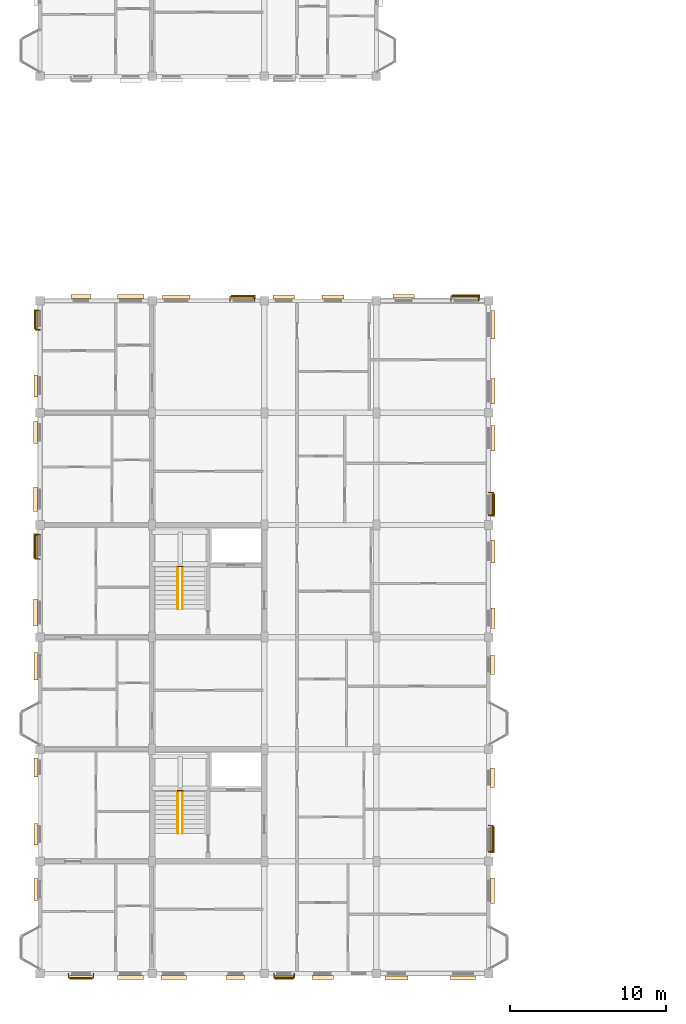
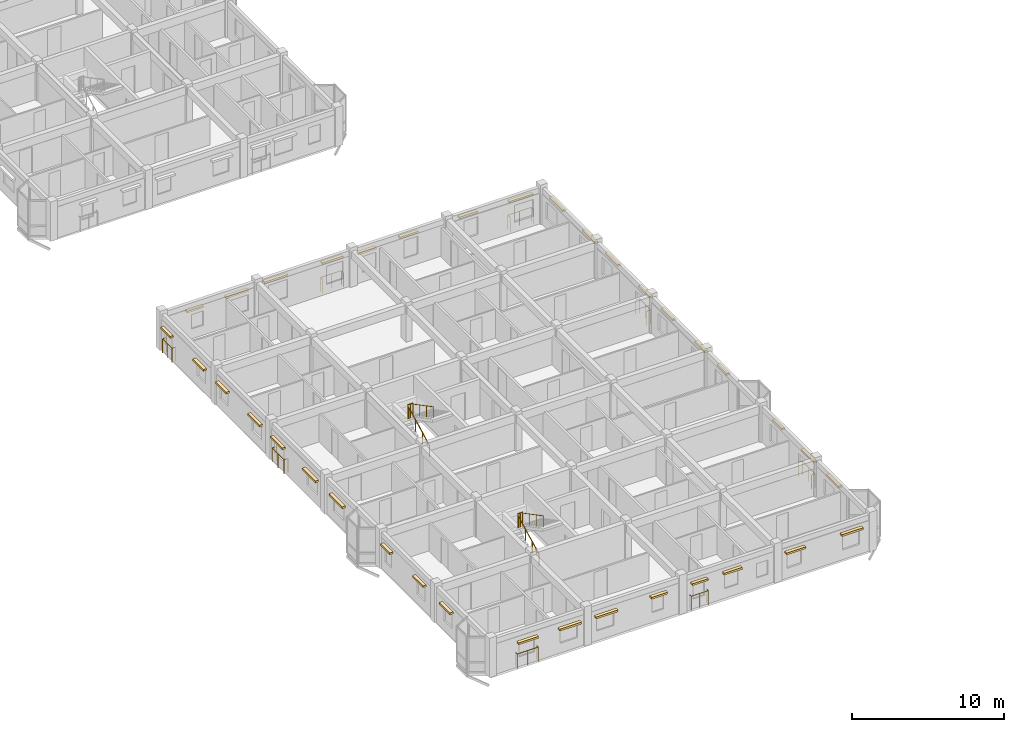
# One storey, part 74 of 79: 36 coverings, 14 railings.
"""IFC4 building model written with IfcOpenShell, lengths in metres."""

from ifc_helpers import new_model, si_unit, direction, frame, origin, origin_2d, place, context, subcontext, project, spatial, rectangle, circle, extrude, material, layer, layer_set, type_object, element, save


model = new_model("IFC4")

# Units and contexts
model_context = context("Model", 3, precision=1e-05, world=origin(), true_north=direction((0.0, 1.0)))
body_context = subcontext(model_context, "Body", "Model", "MODEL_VIEW")
ifc_project = project(units=[si_unit("LENGTHUNIT", "METRE"), si_unit("AREAUNIT", "SQUARE_METRE"), si_unit("VOLUMEUNIT", "CUBIC_METRE"), si_unit("PLANEANGLEUNIT", "RADIAN"), si_unit("MASSUNIT", "GRAM", prefix="KILO"), si_unit("THERMODYNAMICTEMPERATUREUNIT", "KELVIN"), si_unit("POWERUNIT", "WATT")], contexts=[model_context])

# Site, building, storey
site_placement = place(None, origin())
site = spatial("IfcSite", under=ifc_project, at=site_placement, CompositionType="ELEMENT")
building_placement = place(site_placement, origin())
building = spatial("IfcBuilding", under=site, at=building_placement, Name="Tavuni Mirador Residences", CompositionType="ELEMENT")
storey_placement = place(building_placement, frame((0.0, 0.0, 13.949951171875)))
storey = spatial("IfcBuildingStorey", under=building, at=storey_placement, Name="L04", CompositionType="ELEMENT", Elevation=13.949951171875)

# Coverings
ifc_material_1 = material(Name="Natural coral limestone", Category="masonry")
ifc_layer = layer(ifc_material_1, 0.054931640625, Name="Natural coral limestone", Category="masonry")
ifc_layer_set = layer_set([ifc_layer], Name="Natural coral limestone")
covering_type = type_object("IfcCoveringType", Name="CVT-CLAD-CORAL", PredefinedType="CLADDING", material=ifc_layer_set)
covering_1_placement = place(storey_placement, frame((6.237548828125, 6.9404296875, 1.955078125), z_axis=(0.0, 0.0, 1.0), x_axis=(1.0, 0.0, 0.0)))
element("IfcCovering", 1, at=covering_1_placement, inside=storey, type_object=covering_type, Name="HOOD-0095", PredefinedType="CLADDING", context=body_context, shape_type="SweptSolid", body=[
    extrude(rectangle(XDim=1.5, YDim=0.25, at=origin_2d()), origin(), (0.0, 0.0, 1.0), 0.14990234375),
])
for number, where, z_axis, x_axis, name in (
    (2, (9.422607421875, 6.9404296875, 1.955078125), (0.0, 0.0, 1.0), (1.0, 0.0, 0.0), "HOOD-0096"),
    (3, (12.18505859375, 6.950439453125, 1.955078125), (0.0, 0.0, 1.0), (1.0, 0.0, 0.0), "HOOD-0097"),
):
    element("IfcCovering", number, at=place(storey_placement, frame(where, z_axis=z_axis, x_axis=x_axis)), inside=storey, type_object=covering_type, Name=name, PredefinedType="CLADDING", context=body_context, shape_type="SweptSolid", body=[
        extrude(rectangle(XDim=1.659912109375, YDim=0.25, at=origin_2d()), origin(), (0.0, 0.0, 1.0), 0.14990234375),
    ])
for number, where, z_axis, x_axis, name in (
    (4, (16.1650390625, 6.950439453125, 2.065185546875), (0.0, 0.0, 1.0), (1.0, 0.0, 0.0), "HOOD-0098"),
    (5, (19.257568359375, 6.95556640625, 2.065185546875), (0.0, 0.0, 1.0), (1.0, 0.0, 0.0), "HOOD-0099"),
):
    element("IfcCovering", number, at=place(storey_placement, frame(where, z_axis=z_axis, x_axis=x_axis)), inside=storey, type_object=covering_type, Name=name, PredefinedType="CLADDING", context=body_context, shape_type="SweptSolid", body=[
        extrude(rectangle(XDim=1.219970703125, YDim=0.25, at=origin_2d()), origin(), (0.0, 0.0, 1.0), 0.14990234375),
    ])
covering_2_placement = place(storey_placement, frame((21.739990234375, 6.95556640625, 2.065185546875), z_axis=(0.0, 0.0, 1.0), x_axis=(1.0, 0.0, 0.0)))
element("IfcCovering", 6, at=covering_2_placement, inside=storey, type_object=covering_type, Name="HOOD-0100", PredefinedType="CLADDING", context=body_context, shape_type="SweptSolid", body=[
    extrude(rectangle(XDim=1.3798828125, YDim=0.25, at=origin_2d()), origin(), (0.0, 0.0, 1.0), 0.14990234375),
])
covering_3_placement = place(storey_placement, frame((26.485107421875, 6.9130859375, 2.065185546875), z_axis=(0.0, 0.0, 1.0), x_axis=(1.0, 0.0, 0.0)))
element("IfcCovering", 7, at=covering_3_placement, inside=storey, type_object=covering_type, Name="HOOD-0101", PredefinedType="CLADDING", context=body_context, shape_type="SweptSolid", body=[
    extrude(rectangle(XDim=1.4599609375, YDim=0.25, at=origin_2d()), origin(), (0.0, 0.0, 1.0), 0.14990234375),
])
covering_4_placement = place(storey_placement, frame((30.764892578125, 6.9130859375, 2.065185546875), z_axis=(0.0, 0.0, 1.0), x_axis=(1.0, 0.0, 0.0)))
element("IfcCovering", 8, at=covering_4_placement, inside=storey, type_object=covering_type, Name="HOOD-0102", PredefinedType="CLADDING", context=body_context, shape_type="SweptSolid", body=[
    extrude(rectangle(XDim=1.6201171875, YDim=0.25, at=origin_2d()), origin(), (0.0, 0.0, 1.0), 0.14990234375),
])
covering_5_placement = place(storey_placement, frame((32.66455078125, 12.507568359375, 2.06005859375), z_axis=(0.0, 0.0, 1.0), x_axis=(0.0, 1.0, 0.0)))
element("IfcCovering", 9, at=covering_5_placement, inside=storey, type_object=covering_type, Name="HOOD-0103", PredefinedType="CLADDING", context=body_context, shape_type="SweptSolid", body=[
    extrude(rectangle(XDim=1.639892578125, YDim=0.260009765625, at=origin_2d()), origin(), (0.0, 0.0, 1.0), 0.159912109375),
])
covering_6_placement = place(storey_placement, frame((32.6494140625, 15.804931640625, 2.065185546875), z_axis=(0.0, 0.0, 1.0), x_axis=(0.0, 1.0, 0.0)))
element("IfcCovering", 10, at=covering_6_placement, inside=storey, type_object=covering_type, Name="HOOD-0104", PredefinedType="CLADDING", context=body_context, shape_type="SweptSolid", body=[
    extrude(rectangle(XDim=1.699951171875, YDim=0.25, at=origin_2d()), origin(), (0.0, 0.0, 1.0), 0.14990234375),
])
covering_7_placement = place(storey_placement, frame((32.6494140625, 19.77490234375, 2.1650390625), z_axis=(0.0, 0.0, 1.0), x_axis=(0.0, 1.0, 0.0)))
element("IfcCovering", 11, at=covering_7_placement, inside=storey, type_object=covering_type, Name="HOOD-0105", PredefinedType="CLADDING", context=body_context, shape_type="SweptSolid", body=[
    extrude(rectangle(XDim=1.239990234375, YDim=0.25, at=origin_2d()), origin(), (0.0, 0.0, 1.0), 0.14990234375),
])
covering_8_placement = place(storey_placement, frame((32.6494140625, 27.032470703125, 2.16015625), z_axis=(0.0, 0.0, 1.0), x_axis=(0.0, 1.0, 0.0)))
element("IfcCovering", 12, at=covering_8_placement, inside=storey, type_object=covering_type, Name="HOOD-0106", PredefinedType="CLADDING", context=body_context, shape_type="SweptSolid", body=[
    extrude(rectangle(XDim=1.260009765625, YDim=0.260009765625, at=origin_2d()), origin(), (0.0, 0.0, 1.0), 0.159912109375),
])
covering_9_placement = place(storey_placement, frame((32.68701171875, 30.014892578125, 2.1650390625), z_axis=(0.0, 0.0, 1.0), x_axis=(0.0, 1.0, 0.0)))
element("IfcCovering", 13, at=covering_9_placement, inside=storey, type_object=covering_type, Name="HOOD-0107", PredefinedType="CLADDING", context=body_context, shape_type="SweptSolid", body=[
    extrude(rectangle(XDim=1.320068359375, YDim=0.25, at=origin_2d()), origin(), (0.0, 0.0, 1.0), 0.14990234375),
])
for number, where, z_axis, x_axis, name in (
    (14, (32.68701171875, 34.294921875, 2.1650390625), (0.0, 0.0, 1.0), (0.0, 1.0, 0.0), "HOOD-0108"),
    (15, (32.679443359375, 37.294921875, 2.1650390625), (0.0, 0.0, 1.0), (0.0, 1.0, 0.0), "HOOD-0109"),
):
    element("IfcCovering", number, at=place(storey_placement, frame(where, z_axis=z_axis, x_axis=x_axis)), inside=storey, type_object=covering_type, Name=name, PredefinedType="CLADDING", context=body_context, shape_type="SweptSolid", body=[
        extrude(rectangle(XDim=1.47998046875, YDim=0.25, at=origin_2d()), origin(), (0.0, 0.0, 1.0), 0.14990234375),
    ])
for number, where, z_axis, x_axis, name in (
    (16, (32.679443359375, 41.574951171875, 2.1650390625), (0.0, 0.0, 1.0), (0.0, 1.0, 0.0), "HOOD-0110"),
    (17, (32.674560546875, 44.574951171875, 2.1650390625), (0.0, 0.0, 1.0), (0.0, 1.0, 0.0), "HOOD-0111"),
):
    element("IfcCovering", number, at=place(storey_placement, frame(where, z_axis=z_axis, x_axis=x_axis)), inside=storey, type_object=covering_type, Name=name, PredefinedType="CLADDING", context=body_context, shape_type="SweptSolid", body=[
        extrude(rectangle(XDim=1.639892578125, YDim=0.25, at=origin_2d()), origin(), (0.0, 0.0, 1.0), 0.14990234375),
    ])
for number, where, z_axis, x_axis, name in (
    (18, (32.674560546875, 48.85498046875, 2.1650390625), (0.0, 0.0, 1.0), (0.0, 1.0, 0.0), "HOOD-0112"),
    (19, (30.945068359375, 50.68701171875, 2.1650390625), (0.0, 0.0, 1.0), (-1.0, 0.0, 0.0), "HOOD-0113"),
):
    element("IfcCovering", number, at=place(storey_placement, frame(where, z_axis=z_axis, x_axis=x_axis)), inside=storey, type_object=covering_type, Name=name, PredefinedType="CLADDING", context=body_context, shape_type="SweptSolid", body=[
        extrude(rectangle(XDim=1.800048828125, YDim=0.25, at=origin_2d()), origin(), (0.0, 0.0, 1.0), 0.14990234375),
    ])
for number, where, z_axis, x_axis, name in (
    (20, (26.949951171875, 50.68701171875, 2.2451171875), (0.0, 0.0, 1.0), (-1.0, 0.0, 0.0), "HOOD-0114"),
    (21, (22.4150390625, 50.64453125, 2.2451171875), (0.0, 0.0, 1.0), (-1.0, 0.0, 0.0), "HOOD-0115"),
):
    element("IfcCovering", number, at=place(storey_placement, frame(where, z_axis=z_axis, x_axis=x_axis)), inside=storey, type_object=covering_type, Name=name, PredefinedType="CLADDING", context=body_context, shape_type="SweptSolid", body=[
        extrude(rectangle(XDim=1.389892578125, YDim=0.25, at=origin_2d()), origin(), (0.0, 0.0, 1.0), 0.14990234375),
    ])
covering_10_placement = place(storey_placement, frame((19.257568359375, 50.64453125, 2.065185546875), z_axis=(0.0, 0.0, 1.0), x_axis=(-1.0, 0.0, 0.0)))
element("IfcCovering", 22, at=covering_10_placement, inside=storey, type_object=covering_type, Name="HOOD-0116", PredefinedType="CLADDING", context=body_context, shape_type="SweptSolid", body=[
    extrude(rectangle(XDim=1.3798828125, YDim=0.25, at=origin_2d()), origin(), (0.0, 0.0, 1.0), 0.14990234375),
])
covering_11_placement = place(storey_placement, frame((16.64990234375, 50.6494140625, 2.2451171875), z_axis=(0.0, 0.0, 1.0), x_axis=(-1.0, 0.0, 0.0)))
element("IfcCovering", 23, at=covering_11_placement, inside=storey, type_object=covering_type, Name="HOOD-0117", PredefinedType="CLADDING", context=body_context, shape_type="SweptSolid", body=[
    extrude(rectangle(XDim=1.590087890625, YDim=0.25, at=origin_2d()), origin(), (0.0, 0.0, 1.0), 0.14990234375),
])
covering_12_placement = place(storey_placement, frame((12.35009765625, 50.6494140625, 2.2451171875), z_axis=(0.0, 0.0, 1.0), x_axis=(-1.0, 0.0, 0.0)))
element("IfcCovering", 24, at=covering_12_placement, inside=storey, type_object=covering_type, Name="HOOD-0118", PredefinedType="CLADDING", context=body_context, shape_type="SweptSolid", body=[
    extrude(rectangle(XDim=1.7900390625, YDim=0.25, at=origin_2d()), origin(), (0.0, 0.0, 1.0), 0.14990234375),
])
covering_13_placement = place(storey_placement, frame((9.422607421875, 50.659423828125, 2.065185546875), z_axis=(0.0, 0.0, 1.0), x_axis=(-1.0, 0.0, 0.0)))
element("IfcCovering", 25, at=covering_13_placement, inside=storey, type_object=covering_type, Name="HOOD-0119", PredefinedType="CLADDING", context=body_context, shape_type="SweptSolid", body=[
    extrude(rectangle(XDim=1.699951171875, YDim=0.25, at=origin_2d()), origin(), (0.0, 0.0, 1.0), 0.14990234375),
])
for number, where, z_axis, x_axis, name in (
    (26, (6.237548828125, 50.659423828125, 1.955078125), (0.0, 0.0, 1.0), (-1.0, 0.0, 0.0), "HOOD-0120"),
    (27, (3.325439453125, 49.215087890625, 1.955078125), (0.0, 0.0, 1.0), (0.0, -1.0, 0.0), "HOOD-0121"),
):
    element("IfcCovering", number, at=place(storey_placement, frame(where, z_axis=z_axis, x_axis=x_axis)), inside=storey, type_object=covering_type, Name=name, PredefinedType="CLADDING", context=body_context, shape_type="SweptSolid", body=[
        extrude(rectangle(XDim=1.260009765625, YDim=0.25, at=origin_2d()), origin(), (0.0, 0.0, 1.0), 0.14990234375),
    ])
for number, where, z_axis, x_axis, name in (
    (28, (3.325439453125, 44.93505859375, 1.955078125), (0.0, 0.0, 1.0), (0.0, -1.0, 0.0), "HOOD-0122"),
    (29, (3.320556640625, 41.93505859375, 1.955078125), (0.0, 0.0, 1.0), (0.0, -1.0, 0.0), "HOOD-0123"),
):
    element("IfcCovering", number, at=place(storey_placement, frame(where, z_axis=z_axis, x_axis=x_axis)), inside=storey, type_object=covering_type, Name=name, PredefinedType="CLADDING", context=body_context, shape_type="SweptSolid", body=[
        extrude(rectangle(XDim=1.419921875, YDim=0.25, at=origin_2d()), origin(), (0.0, 0.0, 1.0), 0.14990234375),
    ])
for number, where, z_axis, x_axis, name in (
    (30, (3.320556640625, 37.655029296875, 1.955078125), (0.0, 0.0, 1.0), (0.0, -1.0, 0.0), "HOOD-0124"),
    (31, (3.31298828125, 34.655029296875, 1.955078125), (0.0, 0.0, 1.0), (0.0, -1.0, 0.0), "HOOD-0125"),
):
    element("IfcCovering", number, at=place(storey_placement, frame(where, z_axis=z_axis, x_axis=x_axis)), inside=storey, type_object=covering_type, Name=name, PredefinedType="CLADDING", context=body_context, shape_type="SweptSolid", body=[
        extrude(rectangle(XDim=1.580078125, YDim=0.25, at=origin_2d()), origin(), (0.0, 0.0, 1.0), 0.14990234375),
    ])
covering_14_placement = place(storey_placement, frame((3.31298828125, 30.375, 1.955078125), z_axis=(0.0, 0.0, 1.0), x_axis=(0.0, -1.0, 0.0)))
element("IfcCovering", 32, at=covering_14_placement, inside=storey, type_object=covering_type, Name="HOOD-0126", PredefinedType="CLADDING", context=body_context, shape_type="SweptSolid", body=[
    extrude(rectangle(XDim=1.739990234375, YDim=0.25, at=origin_2d()), origin(), (0.0, 0.0, 1.0), 0.14990234375),
])
covering_15_placement = place(storey_placement, frame((3.3505859375, 26.9375, 1.9501953125), z_axis=(0.0, 0.0, 1.0), x_axis=(0.0, -1.0, 0.0)))
element("IfcCovering", 33, at=covering_15_placement, inside=storey, type_object=covering_type, Name="HOOD-0127", PredefinedType="CLADDING", context=body_context, shape_type="SweptSolid", body=[
    extrude(rectangle(XDim=1.760009765625, YDim=0.260009765625, at=origin_2d()), origin(), (0.0, 0.0, 1.0), 0.159912109375),
])
covering_16_placement = place(storey_placement, frame((3.3505859375, 20.43505859375, 2.065185546875), z_axis=(0.0, 0.0, 1.0), x_axis=(0.0, -1.0, 0.0)))
element("IfcCovering", 34, at=covering_16_placement, inside=storey, type_object=covering_type, Name="HOOD-0128", PredefinedType="CLADDING", context=body_context, shape_type="SweptSolid", body=[
    extrude(rectangle(XDim=1.219970703125, YDim=0.25, at=origin_2d()), origin(), (0.0, 0.0, 1.0), 0.14990234375),
])
covering_17_placement = place(storey_placement, frame((3.3505859375, 16.155029296875, 2.065185546875), z_axis=(0.0, 0.0, 1.0), x_axis=(0.0, -1.0, 0.0)))
element("IfcCovering", 35, at=covering_17_placement, inside=storey, type_object=covering_type, Name="HOOD-0129", PredefinedType="CLADDING", context=body_context, shape_type="SweptSolid", body=[
    extrude(rectangle(XDim=1.3798828125, YDim=0.25, at=origin_2d()), origin(), (0.0, 0.0, 1.0), 0.14990234375),
])
covering_18_placement = place(storey_placement, frame((3.33544921875, 12.597412109375, 2.06005859375), z_axis=(0.0, 0.0, 1.0), x_axis=(0.0, -1.0, 0.0)))
element("IfcCovering", 36, at=covering_18_placement, inside=storey, type_object=covering_type, Name="HOOD-0130", PredefinedType="CLADDING", context=body_context, shape_type="SweptSolid", body=[
    extrude(rectangle(XDim=1.39990234375, YDim=0.260009765625, at=origin_2d()), origin(), (0.0, 0.0, 1.0), 0.159912109375),
])

# Railings
ifc_material_2 = material(Name="Structural steel S355", Category="steel")
railing_type_1 = type_object("IfcRailingType", Name="RT-BL1150", PredefinedType="BALUSTRADE", material=ifc_material_2)
railing_1_placement = place(storey_placement, frame((5.4375, 7.199951171875, 0.0400390625)))
element("IfcRailing", 37, at=railing_1_placement, inside=storey, type_object=railing_type_1, Name="BALC-BLK-A-L04-S00", PredefinedType="BALUSTRADE", context=body_context, shape_type="SweptSolid", body=[
    extrude(circle(Radius=0.02392578125, at=origin_2d()), frame((0.0, 0.0, 1.1259765625), z_axis=(0.0, -1.0, 0.0), x_axis=(1.0, 0.0, 0.0)), (0.0, 0.0, 1.0), 0.27734375),
    extrude(circle(Radius=0.02392578125, at=origin_2d()), frame((0.0, -0.27734375, 1.1259765625), z_axis=(1.0, 0.0, 0.0), x_axis=(0.0, 1.0, 0.0)), (0.0, 0.0, 1.0), 1.60009765625),
    extrude(circle(Radius=0.02392578125, at=origin_2d()), frame((1.60009765625, -0.27734375, 1.1259765625), z_axis=(0.0, 1.0, 0.0), x_axis=(-1.0, 0.0, 0.0)), (0.0, 0.0, 1.0), 0.27734375),
    extrude(circle(Radius=0.02099609375, at=origin_2d()), origin(), (0.0, 0.0, 1.0), 1.101806640625),
    extrude(circle(Radius=0.02099609375, at=origin_2d()), frame((0.0, -0.27734375, 0.0)), (0.0, 0.0, 1.0), 1.101806640625),
    extrude(circle(Radius=0.02099609375, at=origin_2d()), frame((0.800048828125, -0.27734375, 0.0)), (0.0, 0.0, 1.0), 1.101806640625),
    extrude(circle(Radius=0.02099609375, at=origin_2d()), frame((1.60009765625, -0.27734375, 0.0)), (0.0, 0.0, 1.0), 1.101806640625),
    extrude(circle(Radius=0.02099609375, at=origin_2d()), frame((1.60009765625, 0.0, 0.0)), (0.0, 0.0, 1.0), 1.101806640625),
])
railing_2_placement = place(storey_placement, frame((18.625, 7.199951171875, 0.0400390625)))
element("IfcRailing", 38, at=railing_2_placement, inside=storey, type_object=railing_type_1, Name="BALC-BLK-A-L04-S02", PredefinedType="BALUSTRADE", context=body_context, shape_type="SweptSolid", body=[
    extrude(circle(Radius=0.02392578125, at=origin_2d()), frame((0.0, 0.0, 1.1259765625), z_axis=(0.0, -1.0, 0.0), x_axis=(1.0, 0.0, 0.0)), (0.0, 0.0, 1.0), 0.262451171875),
    extrude(circle(Radius=0.02392578125, at=origin_2d()), frame((0.0, -0.262451171875, 1.1259765625), z_axis=(1.0, 0.0, 0.0), x_axis=(0.0, 1.0, 0.0)), (0.0, 0.0, 1.0), 1.29248046875),
    extrude(circle(Radius=0.02392578125, at=origin_2d()), frame((1.29248046875, -0.262451171875, 1.1259765625), z_axis=(0.0, 1.0, 0.0), x_axis=(-1.0, 0.0, 0.0)), (0.0, 0.0, 1.0), 0.262451171875),
    extrude(circle(Radius=0.02099609375, at=origin_2d()), origin(), (0.0, 0.0, 1.0), 1.101806640625),
    extrude(circle(Radius=0.02099609375, at=origin_2d()), frame((0.0, -0.262451171875, 0.0)), (0.0, 0.0, 1.0), 1.101806640625),
    extrude(circle(Radius=0.02099609375, at=origin_2d()), frame((0.646240234375, -0.262451171875, 0.0)), (0.0, 0.0, 1.0), 1.101806640625),
    extrude(circle(Radius=0.02099609375, at=origin_2d()), frame((1.29248046875, -0.262451171875, 0.0)), (0.0, 0.0, 1.0), 1.101806640625),
    extrude(circle(Radius=0.02099609375, at=origin_2d()), frame((1.29248046875, 0.0, 0.0)), (0.0, 0.0, 1.0), 1.101806640625),
])
railing_3_placement = place(storey_placement, frame((32.39990234375, 15.02490234375, 0.0400390625)))
element("IfcRailing", 39, at=railing_3_placement, inside=storey, type_object=railing_type_1, Name="BALC-BLK-A-L04-E01", PredefinedType="BALUSTRADE", context=body_context, shape_type="SweptSolid", body=[
    extrude(circle(Radius=0.02392578125, at=origin_2d()), frame((0.0, 0.0, 1.1259765625), z_axis=(1.0, 0.0, 0.0), x_axis=(0.0, 1.0, 0.0)), (0.0, 0.0, 1.0), 0.267578125),
    extrude(circle(Radius=0.02392578125, at=origin_2d()), frame((0.267578125, 0.0, 1.1259765625), z_axis=(0.0, 1.0, 0.0), x_axis=(-1.0, 0.0, 0.0)), (0.0, 0.0, 1.0), 1.68017578125),
    extrude(circle(Radius=0.02392578125, at=origin_2d()), frame((0.267578125, 1.68017578125, 1.1259765625), z_axis=(-1.0, 0.0, 0.0), x_axis=(0.0, -1.0, 0.0)), (0.0, 0.0, 1.0), 0.267578125),
    extrude(circle(Radius=0.02099609375, at=origin_2d()), origin(), (0.0, 0.0, 1.0), 1.101806640625),
    extrude(circle(Radius=0.02099609375, at=origin_2d()), frame((0.267578125, 0.0, 0.0)), (0.0, 0.0, 1.0), 1.101806640625),
    extrude(circle(Radius=0.02099609375, at=origin_2d()), frame((0.267578125, 0.840087890625, 0.0)), (0.0, 0.0, 1.0), 1.101806640625),
    extrude(circle(Radius=0.02099609375, at=origin_2d()), frame((0.267578125, 1.68017578125, 0.0)), (0.0, 0.0, 1.0), 1.101806640625),
    extrude(circle(Radius=0.02099609375, at=origin_2d()), frame((0.0, 1.68017578125, 0.0)), (0.0, 0.0, 1.0), 1.101806640625),
])
railing_4_placement = place(storey_placement, frame((32.39990234375, 36.625, 0.0400390625)))
element("IfcRailing", 40, at=railing_4_placement, inside=storey, type_object=railing_type_1, Name="BALC-BLK-A-L04-E04", PredefinedType="BALUSTRADE", context=body_context, shape_type="SweptSolid", body=[
    extrude(circle(Radius=0.02392578125, at=origin_2d()), frame((0.0, 0.0, 1.1259765625), z_axis=(1.0, 0.0, 0.0), x_axis=(0.0, 1.0, 0.0)), (0.0, 0.0, 1.0), 0.297607421875),
    extrude(circle(Radius=0.02392578125, at=origin_2d()), frame((0.297607421875, 0.0, 1.1259765625), z_axis=(0.0, 1.0, 0.0), x_axis=(-1.0, 0.0, 0.0)), (0.0, 0.0, 1.0), 1.4599609375),
    extrude(circle(Radius=0.02392578125, at=origin_2d()), frame((0.297607421875, 1.4599609375, 1.1259765625), z_axis=(-1.0, 0.0, 0.0), x_axis=(0.0, -1.0, 0.0)), (0.0, 0.0, 1.0), 0.297607421875),
    extrude(circle(Radius=0.02099609375, at=origin_2d()), origin(), (0.0, 0.0, 1.0), 1.101806640625),
    extrude(circle(Radius=0.02099609375, at=origin_2d()), frame((0.297607421875, 0.0, 0.0)), (0.0, 0.0, 1.0), 1.101806640625),
    extrude(circle(Radius=0.02099609375, at=origin_2d()), frame((0.297607421875, 0.72998046875, 0.0)), (0.0, 0.0, 1.0), 1.101806640625),
    extrude(circle(Radius=0.02099609375, at=origin_2d()), frame((0.297607421875, 1.4599609375, 0.0)), (0.0, 0.0, 1.0), 1.101806640625),
    extrude(circle(Radius=0.02099609375, at=origin_2d()), frame((0.0, 1.4599609375, 0.0)), (0.0, 0.0, 1.0), 1.101806640625),
])
railing_5_placement = place(storey_placement, frame((31.77490234375, 50.39990234375, 0.0400390625)))
element("IfcRailing", 41, at=railing_5_placement, inside=storey, type_object=railing_type_1, Name="BALC-BLK-A-L04-N03", PredefinedType="BALUSTRADE", context=body_context, shape_type="SweptSolid", body=[
    extrude(circle(Radius=0.02392578125, at=origin_2d()), frame((0.0, 0.0, 1.1259765625), z_axis=(0.0, 1.0, 0.0), x_axis=(-1.0, 0.0, 0.0)), (0.0, 0.0, 1.0), 0.30517578125),
    extrude(circle(Radius=0.02392578125, at=origin_2d()), frame((0.0, 0.30517578125, 1.1259765625), z_axis=(-1.0, 0.0, 0.0), x_axis=(0.0, -1.0, 0.0)), (0.0, 0.0, 1.0), 1.77978515625),
    extrude(circle(Radius=0.02392578125, at=origin_2d()), frame((-1.77978515625, 0.30517578125, 1.1259765625), z_axis=(0.0, -1.0, 0.0), x_axis=(1.0, 0.0, 0.0)), (0.0, 0.0, 1.0), 0.30517578125),
    extrude(circle(Radius=0.02099609375, at=origin_2d()), origin(), (0.0, 0.0, 1.0), 1.101806640625),
    extrude(circle(Radius=0.02099609375, at=origin_2d()), frame((0.0, 0.30517578125, 0.0)), (0.0, 0.0, 1.0), 1.101806640625),
    extrude(circle(Radius=0.02099609375, at=origin_2d()), frame((-0.889892578125, 0.30517578125, 0.0)), (0.0, 0.0, 1.0), 1.101806640625),
    extrude(circle(Radius=0.02099609375, at=origin_2d()), frame((-1.77978515625, 0.30517578125, 0.0)), (0.0, 0.0, 1.0), 1.101806640625),
    extrude(circle(Radius=0.02099609375, at=origin_2d()), frame((-1.77978515625, 0.0, 0.0)), (0.0, 0.0, 1.0), 1.101806640625),
])
railing_6_placement = place(storey_placement, frame((17.375, 50.39990234375, 0.0400390625)))
element("IfcRailing", 42, at=railing_6_placement, inside=storey, type_object=railing_type_1, Name="BALC-BLK-A-L04-N01", PredefinedType="BALUSTRADE", context=body_context, shape_type="SweptSolid", body=[
    extrude(circle(Radius=0.02392578125, at=origin_2d()), frame((0.0, 0.0, 1.1259765625), z_axis=(0.0, 1.0, 0.0), x_axis=(-1.0, 0.0, 0.0)), (0.0, 0.0, 1.0), 0.267578125),
    extrude(circle(Radius=0.02392578125, at=origin_2d()), frame((0.0, 0.267578125, 1.1259765625), z_axis=(-1.0, 0.0, 0.0), x_axis=(0.0, -1.0, 0.0)), (0.0, 0.0, 1.0), 1.570068359375),
    extrude(circle(Radius=0.02392578125, at=origin_2d()), frame((-1.570068359375, 0.267578125, 1.1259765625), z_axis=(0.0, -1.0, 0.0), x_axis=(1.0, 0.0, 0.0)), (0.0, 0.0, 1.0), 0.267578125),
    extrude(circle(Radius=0.02099609375, at=origin_2d()), origin(), (0.0, 0.0, 1.0), 1.101806640625),
    extrude(circle(Radius=0.02099609375, at=origin_2d()), frame((0.0, 0.267578125, 0.0)), (0.0, 0.0, 1.0), 1.101806640625),
    extrude(circle(Radius=0.02099609375, at=origin_2d()), frame((-0.78515625, 0.267578125, 0.0)), (0.0, 0.0, 1.0), 1.101806640625),
    extrude(circle(Radius=0.02099609375, at=origin_2d()), frame((-1.570068359375, 0.267578125, 0.0)), (0.0, 0.0, 1.0), 1.101806640625),
    extrude(circle(Radius=0.02099609375, at=origin_2d()), frame((-1.570068359375, 0.0, 0.0)), (0.0, 0.0, 1.0), 1.101806640625),
])
railing_7_placement = place(storey_placement, frame((3.60009765625, 49.77490234375, 0.0400390625)))
element("IfcRailing", 43, at=railing_7_placement, inside=storey, type_object=railing_type_1, Name="BALC-BLK-A-L04-W05", PredefinedType="BALUSTRADE", context=body_context, shape_type="SweptSolid", body=[
    extrude(circle(Radius=0.02392578125, at=origin_2d()), frame((0.0, 0.0, 1.1259765625), z_axis=(-1.0, 0.0, 0.0), x_axis=(0.0, -1.0, 0.0)), (0.0, 0.0, 1.0), 0.29248046875),
    extrude(circle(Radius=0.02392578125, at=origin_2d()), frame((-0.29248046875, 0.0, 1.1259765625), z_axis=(0.0, -1.0, 0.0), x_axis=(1.0, 0.0, 0.0)), (0.0, 0.0, 1.0), 1.239990234375),
    extrude(circle(Radius=0.02392578125, at=origin_2d()), frame((-0.29248046875, -1.239990234375, 1.1259765625), z_axis=(1.0, 0.0, 0.0), x_axis=(0.0, 1.0, 0.0)), (0.0, 0.0, 1.0), 0.29248046875),
    extrude(circle(Radius=0.02099609375, at=origin_2d()), origin(), (0.0, 0.0, 1.0), 1.101806640625),
    extrude(circle(Radius=0.02099609375, at=origin_2d()), frame((-0.29248046875, 0.0, 0.0)), (0.0, 0.0, 1.0), 1.101806640625),
    extrude(circle(Radius=0.02099609375, at=origin_2d()), frame((-0.29248046875, -0.6201171875, 0.0)), (0.0, 0.0, 1.0), 1.101806640625),
    extrude(circle(Radius=0.02099609375, at=origin_2d()), frame((-0.29248046875, -1.239990234375, 0.0)), (0.0, 0.0, 1.0), 1.101806640625),
    extrude(circle(Radius=0.02099609375, at=origin_2d()), frame((0.0, -1.239990234375, 0.0)), (0.0, 0.0, 1.0), 1.101806640625),
])
railing_8_placement = place(storey_placement, frame((3.60009765625, 35.375, 0.0400390625)))
element("IfcRailing", 44, at=railing_8_placement, inside=storey, type_object=railing_type_1, Name="BALC-BLK-A-L04-W03", PredefinedType="BALUSTRADE", context=body_context, shape_type="SweptSolid", body=[
    extrude(circle(Radius=0.02392578125, at=origin_2d()), frame((0.0, 0.0, 1.1259765625), z_axis=(-1.0, 0.0, 0.0), x_axis=(0.0, -1.0, 0.0)), (0.0, 0.0, 1.0), 0.30517578125),
    extrude(circle(Radius=0.02392578125, at=origin_2d()), frame((-0.30517578125, 0.0, 1.1259765625), z_axis=(0.0, -1.0, 0.0), x_axis=(1.0, 0.0, 0.0)), (0.0, 0.0, 1.0), 1.56005859375),
    extrude(circle(Radius=0.02392578125, at=origin_2d()), frame((-0.30517578125, -1.56005859375, 1.1259765625), z_axis=(1.0, 0.0, 0.0), x_axis=(0.0, 1.0, 0.0)), (0.0, 0.0, 1.0), 0.30517578125),
    extrude(circle(Radius=0.02099609375, at=origin_2d()), origin(), (0.0, 0.0, 1.0), 1.101806640625),
    extrude(circle(Radius=0.02099609375, at=origin_2d()), frame((-0.30517578125, 0.0, 0.0)), (0.0, 0.0, 1.0), 1.101806640625),
    extrude(circle(Radius=0.02099609375, at=origin_2d()), frame((-0.30517578125, -0.780029296875, 0.0)), (0.0, 0.0, 1.0), 1.101806640625),
    extrude(circle(Radius=0.02099609375, at=origin_2d()), frame((-0.30517578125, -1.56005859375, 0.0)), (0.0, 0.0, 1.0), 1.101806640625),
    extrude(circle(Radius=0.02099609375, at=origin_2d()), frame((0.0, -1.56005859375, 0.0)), (0.0, 0.0, 1.0), 1.101806640625),
])
railing_type_2 = type_object("IfcRailingType", Name="RT-GR1120", PredefinedType="GUARDRAIL", material=ifc_material_2)
for number, where, name in (
    (45, (12.419921875, 18.93994140625, 1.574951171875), "GRD-HL-ST1-L04"),
    (46, (12.419921875, 33.340087890625, 1.574951171875), "GRD-HL-ST2-L04"),
):
    element("IfcRailing", number, at=place(storey_placement, frame(where)), inside=storey, type_object=railing_type_2, Name=name, PredefinedType="GUARDRAIL", context=body_context, shape_type="SweptSolid", body=[
        extrude(circle(Radius=0.02392578125, at=origin_2d()), frame((0.0, 0.0, 1.09619140625), z_axis=(1.0, 0.0, 0.0), x_axis=(0.0, 1.0, 0.0)), (0.0, 0.0, 1.0), 0.360107421875),
        extrude(circle(Radius=0.02099609375, at=origin_2d()), origin(), (0.0, 0.0, 1.0), 1.072021484375),
        extrude(circle(Radius=0.02099609375, at=origin_2d()), frame((0.18017578125, 0.0, 0.0)), (0.0, 0.0, 1.0), 1.072021484375),
        extrude(circle(Radius=0.02099609375, at=origin_2d()), frame((0.360107421875, 0.0, 0.0)), (0.0, 0.0, 1.0), 1.072021484375),
    ])
railing_type_3 = type_object("IfcRailingType", Name="RT-HR920", PredefinedType="HANDRAIL", material=ifc_material_2)
railing_9_placement = place(storey_placement, frame((12.449951171875, 16.199951171875, 0.157470703125)))
element("IfcRailing", 47, at=railing_9_placement, inside=storey, type_object=railing_type_3, Name="HR-ST1-L04-F1", PredefinedType="HANDRAIL", context=body_context, shape_type="SweptSolid", body=[
    extrude(circle(Radius=0.02392578125, at=origin_2d()), frame((0.0, 0.0, 0.89599609375), z_axis=(0.0, 0.885397079081, 0.464835468048), x_axis=(-1.0, 0.0, 0.0)), (0.0, 0.0, 1.0), 3.04931640625),
    extrude(circle(Radius=0.02099609375, at=origin_2d()), origin(), (0.0, 0.0, 1.0), 0.871826171875),
    extrude(circle(Radius=0.02099609375, at=origin_2d()), frame((0.0, 0.89990234375, 0.472412109375)), (0.0, 0.0, 1.0), 0.871826171875),
    extrude(circle(Radius=0.02099609375, at=origin_2d()), frame((0.0, 1.800048828125, 0.945068359375)), (0.0, 0.0, 1.0), 0.871826171875),
    extrude(circle(Radius=0.02099609375, at=origin_2d()), frame((0.0, 2.699951171875, 1.41748046875)), (0.0, 0.0, 1.0), 0.871826171875),
])
railing_10_placement = place(storey_placement, frame((12.75, 18.89990234375, 1.732666015625)))
element("IfcRailing", 48, at=railing_10_placement, inside=storey, type_object=railing_type_3, Name="HR-ST1-L04-F2", PredefinedType="HANDRAIL", context=body_context, shape_type="SweptSolid", body=[
    extrude(circle(Radius=0.02392578125, at=origin_2d()), frame((0.0, 0.0, 0.89599609375), z_axis=(0.0, -0.885397079081, 0.464835468048), x_axis=(1.0, 0.0, 0.0)), (0.0, 0.0, 1.0), 3.04931640625),
    extrude(circle(Radius=0.02099609375, at=origin_2d()), origin(), (0.0, 0.0, 1.0), 0.871826171875),
    extrude(circle(Radius=0.02099609375, at=origin_2d()), frame((0.0, -0.89990234375, 0.472412109375)), (0.0, 0.0, 1.0), 0.871826171875),
    extrude(circle(Radius=0.02099609375, at=origin_2d()), frame((0.0, -1.800048828125, 0.945068359375)), (0.0, 0.0, 1.0), 0.871826171875),
    extrude(circle(Radius=0.02099609375, at=origin_2d()), frame((0.0, -2.699951171875, 1.41748046875)), (0.0, 0.0, 1.0), 0.871826171875),
])
railing_11_placement = place(storey_placement, frame((12.449951171875, 30.60009765625, 0.157470703125)))
element("IfcRailing", 49, at=railing_11_placement, inside=storey, type_object=railing_type_3, Name="HR-ST2-L04-F1", PredefinedType="HANDRAIL", context=body_context, shape_type="SweptSolid", body=[
    extrude(circle(Radius=0.02392578125, at=origin_2d()), frame((0.0, 0.0, 0.89599609375), z_axis=(0.0, 0.885397079081, 0.464835468048), x_axis=(-1.0, 0.0, 0.0)), (0.0, 0.0, 1.0), 3.04931640625),
    extrude(circle(Radius=0.02099609375, at=origin_2d()), origin(), (0.0, 0.0, 1.0), 0.871826171875),
    extrude(circle(Radius=0.02099609375, at=origin_2d()), frame((0.0, 0.89990234375, 0.472412109375)), (0.0, 0.0, 1.0), 0.871826171875),
    extrude(circle(Radius=0.02099609375, at=origin_2d()), frame((0.0, 1.800048828125, 0.945068359375)), (0.0, 0.0, 1.0), 0.871826171875),
    extrude(circle(Radius=0.02099609375, at=origin_2d()), frame((0.0, 2.699951171875, 1.41748046875)), (0.0, 0.0, 1.0), 0.871826171875),
])
railing_12_placement = place(storey_placement, frame((12.75, 33.300048828125, 1.732666015625)))
element("IfcRailing", 50, at=railing_12_placement, inside=storey, type_object=railing_type_3, Name="HR-ST2-L04-F2", PredefinedType="HANDRAIL", context=body_context, shape_type="SweptSolid", body=[
    extrude(circle(Radius=0.02392578125, at=origin_2d()), frame((0.0, 0.0, 0.89599609375), z_axis=(0.0, -0.885397079081, 0.464835468048), x_axis=(1.0, 0.0, 0.0)), (0.0, 0.0, 1.0), 3.04931640625),
    extrude(circle(Radius=0.02099609375, at=origin_2d()), origin(), (0.0, 0.0, 1.0), 0.871826171875),
    extrude(circle(Radius=0.02099609375, at=origin_2d()), frame((0.0, -0.89990234375, 0.472412109375)), (0.0, 0.0, 1.0), 0.871826171875),
    extrude(circle(Radius=0.02099609375, at=origin_2d()), frame((0.0, -1.800048828125, 0.945068359375)), (0.0, 0.0, 1.0), 0.871826171875),
    extrude(circle(Radius=0.02099609375, at=origin_2d()), frame((0.0, -2.699951171875, 1.41748046875)), (0.0, 0.0, 1.0), 0.871826171875),
])

save(model, "model.ifc")
